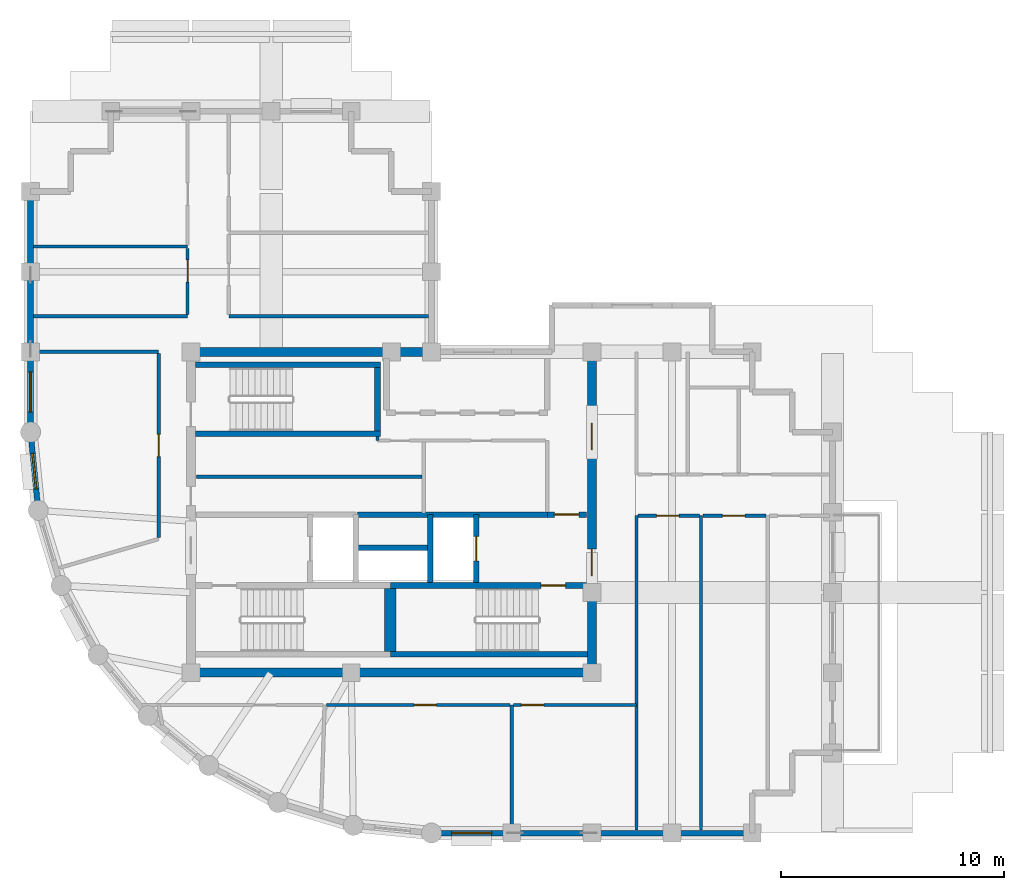
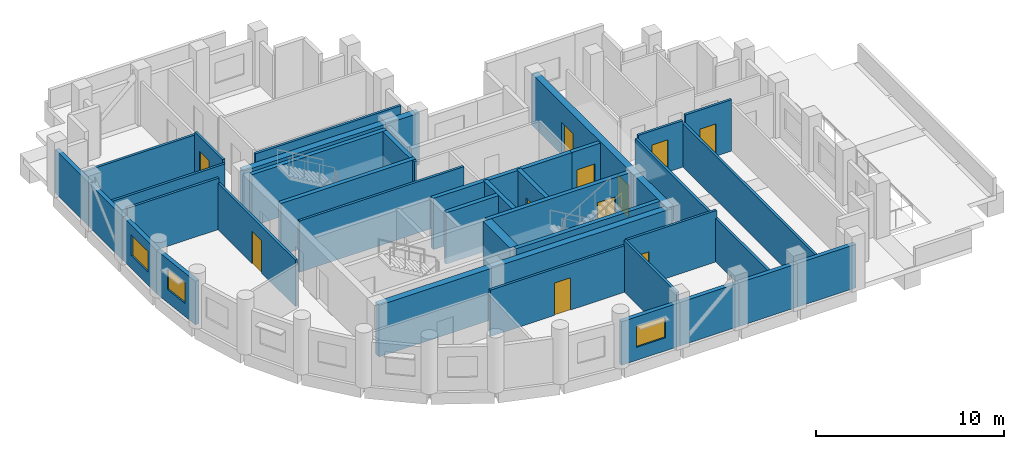
# One storey, part 3 of 7: 37 walls, 11 doors, 3 windows, 14 openings.
"""IFC4 building model written with IfcOpenShell, lengths in metres."""

from ifc_helpers import new_model, si_unit, direction, frame, frame_2d, origin, place, context, subcontext, project, spatial, rectangle, extrude, material, layer, layer_set, type_object, element, fill, save


model = new_model("IFC4")

# Units and contexts
model_context = context("Model", 3, precision=1e-05, world=origin(), true_north=direction((0.0, 1.0)))
body_context = subcontext(model_context, "Body", "Model", "MODEL_VIEW")
ifc_project = project(units=[si_unit("LENGTHUNIT", "METRE"), si_unit("AREAUNIT", "SQUARE_METRE"), si_unit("VOLUMEUNIT", "CUBIC_METRE"), si_unit("PLANEANGLEUNIT", "RADIAN"), si_unit("MASSUNIT", "GRAM", prefix="KILO")], contexts=[model_context])

# Site, building, storey
site_placement = place(None, origin())
site = spatial("IfcSite", under=ifc_project, at=site_placement, CompositionType="ELEMENT")
building_placement = place(site_placement, origin())
building = spatial("IfcBuilding", under=site, at=building_placement, Name="Solnavia Interchange Tower", CompositionType="ELEMENT")
storey_placement = place(building_placement, frame((0.0, 0.0, 221.0)))
storey = spatial("IfcBuildingStorey", under=building, at=storey_placement, Name="L55", CompositionType="ELEMENT", Elevation=221.0)

# Wall, opening, window
ifc_material_1 = material(Name="Concrete C40/50", Category="concrete")
ifc_layer_1 = layer(ifc_material_1, 0.25)
ifc_layer_set_1 = layer_set([ifc_layer_1], Name="Concrete C40/50")
wall_type_1 = type_object("IfcWallType", Name="Wall-ExtSpandrel-250", PredefinedType="STANDARD", material=ifc_layer_set_1)
wall_1_placement = place(storey_placement, frame((28.800048828125, 3.60009765625, 0.0), z_axis=(0.0, 0.0, 1.0), x_axis=(-1.0, 0.0, 0.0)))
wall_1 = element("IfcWall", 1, at=wall_1_placement, inside=storey, type_object=wall_type_1, Name="EXW-L55-01 Exterior precast spandrel wall", PredefinedType="STANDARD", context=body_context, shape_type="SweptSolid", body=[
    extrude(rectangle(XDim=3.60009765625, YDim=0.25, at=frame_2d((1.800048828125, 0.0))), origin(), (0.0, 0.0, 1.0), 2.830078125),
])
opening_1_placement = place(wall_1_placement, frame((0.89990234375, 0.0, 0.85009765625)))
opening_1 = element("IfcOpeningElement", 2, at=opening_1_placement, cuts=wall_1, Name="Opening WIN-02", PredefinedType="OPENING", context=body_context, shape_type="SweptSolid", body=[
    extrude(rectangle(XDim=1.800048828125, YDim=1.35009765625, at=frame_2d((0.89990234375, 0.675048828125))), frame((0.0, 0.135009765625, 0.0), z_axis=(0.0, -1.0, 0.0), x_axis=(1.0, 0.0, 0.0)), (0.0, 0.0, 1.0), 0.27001953125),
])
ifc_material_2 = material(Name="Thermal-Break Aluminium & Low-E Glass", Category="aluminium")
window_type_1 = type_object("IfcWindowType", Name="Window-Ribbon-1800x1350", PartitioningType="SINGLE_PANEL", PredefinedType="WINDOW", material=ifc_material_2)
window_1_placement = place(opening_1_placement, origin())
window_1 = element("IfcWindow", 3, at=window_1_placement, inside=storey, type_object=window_type_1, Name="WIN-L55-01 Facade ribbon window", OverallHeight=1.35009765625, OverallWidth=1.800048828125, PartitioningType="SINGLE_PANEL", PredefinedType="WINDOW", context=body_context, shape_type="SweptSolid", body=[
    extrude(rectangle(XDim=1.800048828125, YDim=1.35009765625, at=frame_2d((0.89990234375, 0.675048828125))), frame((0.0, 0.030029296875, 0.0), z_axis=(0.0, -1.0, 0.0), x_axis=(1.0, 0.0, 0.0)), (0.0, 0.0, 1.0), 0.06005859375),
])
fill(opening_1, window_1)

# Walls
wall_2_placement = place(storey_placement, frame((32.39990234375, 3.60009765625, 0.0), z_axis=(0.0, 0.0, 1.0), x_axis=(-1.0, 0.0, 0.0)))
element("IfcWall", 4, at=wall_2_placement, inside=storey, type_object=wall_type_1, Name="EXW-L55-02 Exterior precast spandrel wall", PredefinedType="STANDARD", context=body_context, shape_type="SweptSolid", body=[
    extrude(rectangle(XDim=3.599853515625, YDim=0.25, at=frame_2d((1.7998046875, 0.0))), origin(), (0.0, 0.0, 1.0), 2.830078125),
])
for number, where, z_axis, x_axis, name in (
    (5, (36.0, 3.60009765625, 0.0), (0.0, 0.0, 1.0), (-1.0, 0.0, 0.0), "EXW-L55-03 Exterior precast spandrel wall"),
    (6, (39.60009765625, 3.60009765625, 0.0), (0.0, 0.0, 1.0), (-1.0, 0.0, 0.0), "EXW-L55-04 Exterior precast spandrel wall"),
):
    element("IfcWall", number, at=place(storey_placement, frame(where, z_axis=z_axis, x_axis=x_axis)), inside=storey, type_object=wall_type_1, Name=name, PredefinedType="STANDARD", context=body_context, shape_type="SweptSolid", body=[
        extrude(rectangle(XDim=3.60009765625, YDim=0.25, at=frame_2d((1.800048828125, 0.0))), origin(), (0.0, 0.0, 1.0), 2.830078125),
    ])
wall_3_placement = place(storey_placement, frame((7.199951171875, 28.800048828125, 0.0), z_axis=(0.0, 0.0, 1.0), x_axis=(0.0, 1.0, 0.0)))
element("IfcWall", 7, at=wall_3_placement, inside=storey, type_object=wall_type_1, Name="EXW-L55-38 Exterior precast spandrel wall", PredefinedType="STANDARD", context=body_context, shape_type="SweptSolid", body=[
    extrude(rectangle(XDim=3.599853515625, YDim=0.25, at=frame_2d((1.7998046875, 0.0))), origin(), (0.0, 0.0, 1.0), 2.830078125),
])
wall_4_placement = place(storey_placement, frame((7.199951171875, 25.199951171875, 0.0), z_axis=(0.0, 0.0, 1.0), x_axis=(0.0, 1.0, 0.0)))
element("IfcWall", 8, at=wall_4_placement, inside=storey, type_object=wall_type_1, Name="EXW-L55-39 Exterior precast spandrel wall", PredefinedType="STANDARD", context=body_context, shape_type="SweptSolid", body=[
    extrude(rectangle(XDim=3.60009765625, YDim=0.25, at=frame_2d((1.800048828125, 0.0))), origin(), (0.0, 0.0, 1.0), 2.830078125),
])

# Wall, opening, window
wall_5_placement = place(storey_placement, frame((7.199951171875, 21.60009765625, 0.0), z_axis=(0.0, 0.0, 1.0), x_axis=(0.0, 1.0, 0.0)))
wall_5 = element("IfcWall", 9, at=wall_5_placement, inside=storey, type_object=wall_type_1, Name="EXW-L55-40 Exterior precast spandrel wall", PredefinedType="STANDARD", context=body_context, shape_type="SweptSolid", body=[
    extrude(rectangle(XDim=3.599853515625, YDim=0.25, at=frame_2d((1.7998046875, 0.0))), origin(), (0.0, 0.0, 1.0), 2.830078125),
])
opening_2_placement = place(wall_5_placement, frame((0.89990234375, 0.0, 0.85009765625)))
opening_2 = element("IfcOpeningElement", 10, at=opening_2_placement, cuts=wall_5, Name="Opening WIN-02", PredefinedType="OPENING", context=body_context, shape_type="SweptSolid", body=[
    extrude(rectangle(XDim=1.800048828125, YDim=1.35009765625, at=frame_2d((0.89990234375, 0.675048828125))), frame((0.0, 0.135009765625, 0.0), z_axis=(0.0, -1.0, 0.0), x_axis=(1.0, 0.0, 0.0)), (0.0, 0.0, 1.0), 0.27001953125),
])
window_2_placement = place(opening_2_placement, origin())
window_2 = element("IfcWindow", 11, at=window_2_placement, inside=storey, type_object=window_type_1, Name="WIN-L55-40 Facade ribbon window", OverallHeight=1.35009765625, OverallWidth=1.800048828125, PartitioningType="SINGLE_PANEL", PredefinedType="WINDOW", context=body_context, shape_type="SweptSolid", body=[
    extrude(rectangle(XDim=1.800048828125, YDim=1.35009765625, at=frame_2d((0.89990234375, 0.675048828125))), frame((0.0, 0.030029296875, 0.0), z_axis=(0.0, -1.0, 0.0), x_axis=(1.0, 0.0, 0.0)), (0.0, 0.0, 1.0), 0.06005859375),
])
fill(opening_2, window_2)

wall_6_placement = place(storey_placement, frame((7.5458984375, 18.087890625, 0.0), z_axis=(0.0, 0.0, 1.0), x_axis=(-0.09802417461, 0.995184033831, 0.0)))
wall_6 = element("IfcWall", 12, at=wall_6_placement, inside=storey, type_object=wall_type_1, Name="EXW-L55-41 Exterior precast spandrel wall", PredefinedType="STANDARD", context=body_context, shape_type="SweptSolid", body=[
    extrude(rectangle(XDim=3.529296875, YDim=0.25, at=frame_2d((1.7646484375, 0.0))), origin(), (0.0, 0.0, 1.0), 2.830078125),
])
opening_3_placement = place(wall_6_placement, frame((0.965087890625, 0.0, 0.85009765625)))
opening_3 = element("IfcOpeningElement", 13, at=opening_3_placement, cuts=wall_6, Name="Opening WIN-04", PredefinedType="OPENING", context=body_context, shape_type="SweptSolid", body=[
    extrude(rectangle(XDim=1.60009765625, YDim=1.35009765625, at=frame_2d((0.800048828125, 0.675048828125))), frame((0.0, 0.135009765625, 0.0), z_axis=(0.0, -1.0, 0.0), x_axis=(1.0, 0.0, 0.0)), (0.0, 0.0, 1.0), 0.27001953125),
])
window_type_2 = type_object("IfcWindowType", Name="Window-Drum-1600x1350", PartitioningType="SINGLE_PANEL", PredefinedType="WINDOW", material=ifc_material_2)
window_3_placement = place(opening_3_placement, origin())
window_3 = element("IfcWindow", 14, at=window_3_placement, inside=storey, type_object=window_type_2, Name="WIN-L55-41 Facade ribbon window", OverallHeight=1.35009765625, OverallWidth=1.60009765625, PartitioningType="SINGLE_PANEL", PredefinedType="WINDOW", context=body_context, shape_type="SweptSolid", body=[
    extrude(rectangle(XDim=1.60009765625, YDim=1.35009765625, at=frame_2d((0.800048828125, 0.675048828125))), frame((0.0, 0.030029296875, 0.0), z_axis=(0.0, -1.0, 0.0), x_axis=(1.0, 0.0, 0.0)), (0.0, 0.0, 1.0), 0.06005859375),
])
fill(opening_3, window_3)

# Walls
ifc_material_3 = material(Name="Gypsum Plasterboard & Steel Stud", Category="steel")
ifc_layer_2 = layer(ifc_material_3, 0.14990234375)
ifc_layer_set_2 = layer_set([ifc_layer_2], Name="Gypsum Plasterboard & Steel Stud")
wall_type_2 = type_object("IfcWallType", Name="Wall-Partition-150", PredefinedType="PARTITIONING", material=ifc_layer_set_2)
wall_7_placement = place(storey_placement, frame((22.77490234375, 21.219970703125, 0.0), z_axis=(0.0, 0.0, 1.0), x_axis=(0.0, 1.0, 0.0)))
element("IfcWall", 15, at=wall_7_placement, inside=storey, type_object=wall_type_2, Name="CSW-L55-ST-TIE Core shaft wall", PredefinedType="PARTITIONING", context=body_context, shape_type="SweptSolid", body=[
    extrude(rectangle(XDim=0.175048828125, YDim=0.14990234375, at=frame_2d((0.08740234375, 0.0))), origin(), (0.0, 0.0, 1.0), 3.3349609375),
])
wall_8_placement = place(storey_placement, frame((14.64990234375, 19.60009765625, 0.0), z_axis=(0.0, 0.0, 1.0), x_axis=(1.0, 0.0, 0.0)))
element("IfcWall", 16, at=wall_8_placement, inside=storey, type_object=wall_type_2, Name="CSW-L55-H1 Core shaft wall", PredefinedType="PARTITIONING", context=body_context, shape_type="SweptSolid", body=[
    extrude(rectangle(XDim=10.130126953125, YDim=0.14990234375, at=frame_2d((5.06494140625, 0.0))), origin(), (0.0, 0.0, 1.0), 3.3349609375),
])
wall_9_placement = place(storey_placement, frame((7.3291015625, 25.199951171875, 0.0), z_axis=(0.0, 0.0, 1.0), x_axis=(1.0, 0.0, 0.0)))
element("IfcWall", 17, at=wall_9_placement, inside=storey, type_object=wall_type_2, Name="PTW-L55-07 Interior partition wall", PredefinedType="PARTITIONING", context=body_context, shape_type="SweptSolid", body=[
    extrude(rectangle(XDim=5.620849609375, YDim=0.14990234375, at=frame_2d((2.810546875, 0.0))), origin(), (0.0, 0.0, 1.0), 3.3349609375),
])
wall_10_placement = place(storey_placement, frame((28.800048828125, 9.35009765625, 0.0), z_axis=(0.0, 0.0, 1.0), x_axis=(0.0, -1.0, 0.0)))
element("IfcWall", 18, at=wall_10_placement, inside=storey, type_object=wall_type_2, Name="PTW-L55-08 Interior partition wall", PredefinedType="PARTITIONING", context=body_context, shape_type="SweptSolid", body=[
    extrude(rectangle(XDim=5.62109375, YDim=0.14990234375, at=frame_2d((2.810546875, 0.0))), origin(), (0.0, 0.0, 1.0), 3.3349609375),
])

# Wall, opening, door
wall_11_placement = place(storey_placement, frame((12.949951171875, 16.87890625, 0.0), z_axis=(0.0, 0.0, 1.0), x_axis=(0.0, 1.0, 0.0)))
wall_11 = element("IfcWall", 19, at=wall_11_placement, inside=storey, type_object=wall_type_2, Name="PTW-L55-12 Interior partition wall", PredefinedType="PARTITIONING", context=body_context, shape_type="SweptSolid", body=[
    extrude(rectangle(XDim=8.2421875, YDim=0.14990234375, at=frame_2d((4.12109375, 0.0))), origin(), (0.0, 0.0, 1.0), 3.02001953125),
])
opening_4_placement = place(wall_11_placement, frame((3.62109375, 0.0, 0.0)))
opening_4 = element("IfcOpeningElement", 20, at=opening_4_placement, cuts=wall_11, Name="Opening DR-07", PredefinedType="OPENING", context=body_context, shape_type="SweptSolid", body=[
    extrude(rectangle(XDim=1.0, YDim=2.10009765625, at=frame_2d((0.5, 1.050048828125))), frame((0.0, 0.0849609375, 0.0), z_axis=(0.0, -1.0, 0.0), x_axis=(1.0, 0.0, 0.0)), (0.0, 0.0, 1.0), 0.169921875),
])
ifc_material_4 = material(Name="Timber & Acoustic Glazed Office Door", Category="wood")
door_type_1 = type_object("IfcDoorType", Name="Door-Office-1000x2100", OperationType="SINGLE_SWING_RIGHT", PredefinedType="DOOR", material=ifc_material_4)
door_1_placement = place(opening_4_placement, origin())
door_1 = element("IfcDoor", 21, at=door_1_placement, inside=storey, type_object=door_type_1, Name="DR-L55-03 Interior room door", OperationType="SINGLE_SWING_LEFT", OverallHeight=2.10009765625, OverallWidth=1.0, PredefinedType="DOOR", context=body_context, shape_type="SweptSolid", body=[
    extrude(rectangle(XDim=1.0, YDim=2.10009765625, at=frame_2d((0.5, 1.050048828125))), frame((0.0, 0.02490234375, 0.0), z_axis=(0.0, -1.0, 0.0), x_axis=(1.0, 0.0, 0.0)), (0.0, 0.0, 1.0), 0.050048828125),
])
fill(opening_4, door_1)

wall_12_placement = place(storey_placement, frame((20.47900390625, 9.35009765625, 0.0), z_axis=(0.0, 0.0, 1.0), x_axis=(1.0, 0.0, 0.0)))
wall_12 = element("IfcWall", 22, at=wall_12_placement, inside=storey, type_object=wall_type_2, Name="PTW-L55-15 Interior partition wall", PredefinedType="PARTITIONING", context=body_context, shape_type="SweptSolid", body=[
    extrude(rectangle(XDim=8.241943359375, YDim=0.14990234375, at=frame_2d((4.12109375, 0.0))), origin(), (0.0, 0.0, 1.0), 3.02001953125),
])
opening_5_placement = place(wall_12_placement, frame((3.93896484375, 0.0, 0.0)))
opening_5 = element("IfcOpeningElement", 23, at=opening_5_placement, cuts=wall_12, Name="Opening DR-07", PredefinedType="OPENING", context=body_context, shape_type="SweptSolid", body=[
    extrude(rectangle(XDim=1.0, YDim=2.10009765625, at=frame_2d((0.5, 1.050048828125))), frame((0.0, 0.0849609375, 0.0), z_axis=(0.0, -1.0, 0.0), x_axis=(1.0, 0.0, 0.0)), (0.0, 0.0, 1.0), 0.169921875),
])
door_2_placement = place(opening_5_placement, origin())
door_2 = element("IfcDoor", 24, at=door_2_placement, inside=storey, type_object=door_type_1, Name="DR-L55-06 Interior room door", OperationType="SINGLE_SWING_RIGHT", OverallHeight=2.10009765625, OverallWidth=1.0, PredefinedType="DOOR", context=body_context, shape_type="SweptSolid", body=[
    extrude(rectangle(XDim=1.0, YDim=2.10009765625, at=frame_2d((0.5, 1.050048828125))), frame((0.0, 0.02490234375, 0.0), z_axis=(0.0, -1.0, 0.0), x_axis=(1.0, 0.0, 0.0)), (0.0, 0.0, 1.0), 0.050048828125),
])
fill(opening_5, door_2)

wall_13_placement = place(storey_placement, frame((28.87890625, 9.35009765625, 0.0), z_axis=(0.0, 0.0, 1.0), x_axis=(1.0, 0.0, 0.0)))
wall_13 = element("IfcWall", 25, at=wall_13_placement, inside=storey, type_object=wall_type_2, Name="PTW-L55-16 Interior partition wall", PredefinedType="PARTITIONING", context=body_context, shape_type="SweptSolid", body=[
    extrude(rectangle(XDim=5.52099609375, YDim=0.14990234375, at=frame_2d((2.760498046875, 0.0))), origin(), (0.0, 0.0, 1.0), 3.3349609375),
])
opening_6_placement = place(wall_13_placement, frame((0.360107421875, 0.0, 0.0)))
opening_6 = element("IfcOpeningElement", 26, at=opening_6_placement, cuts=wall_13, Name="Opening DR-07", PredefinedType="OPENING", context=body_context, shape_type="SweptSolid", body=[
    extrude(rectangle(XDim=1.0, YDim=2.10009765625, at=frame_2d((0.5, 1.050048828125))), frame((0.0, 0.0849609375, 0.0), z_axis=(0.0, -1.0, 0.0), x_axis=(1.0, 0.0, 0.0)), (0.0, 0.0, 1.0), 0.169921875),
])
door_3_placement = place(opening_6_placement, origin())
door_3 = element("IfcDoor", 27, at=door_3_placement, inside=storey, type_object=door_type_1, Name="DR-L55-07 Interior room door", OperationType="SINGLE_SWING_LEFT", OverallHeight=2.10009765625, OverallWidth=1.0, PredefinedType="DOOR", context=body_context, shape_type="SweptSolid", body=[
    extrude(rectangle(XDim=1.0, YDim=2.10009765625, at=frame_2d((0.5, 1.050048828125))), frame((0.0, 0.02490234375, 0.0), z_axis=(0.0, -1.0, 0.0), x_axis=(1.0, 0.0, 0.0)), (0.0, 0.0, 1.0), 0.050048828125),
])
fill(opening_6, door_3)

# Walls
for number, where, z_axis, x_axis, name in (
    (28, (34.39990234375, 3.72900390625, 0.0), (0.0, 0.0, 1.0), (0.0, 1.0, 0.0), "PTW-L55-17 Interior partition wall"),
    (29, (37.300048828125, 3.72900390625, 0.0), (0.0, 0.0, 1.0), (0.0, 1.0, 0.0), "PTW-L55-18 Interior partition wall"),
):
    element("IfcWall", number, at=place(storey_placement, frame(where, z_axis=z_axis, x_axis=x_axis)), inside=storey, type_object=wall_type_2, Name=name, PredefinedType="PARTITIONING", context=body_context, shape_type="SweptSolid", body=[
        extrude(rectangle(XDim=14.12109375, YDim=0.14990234375, at=frame_2d((7.060546875, 0.0))), origin(), (0.0, 0.0, 1.0), 2.830078125),
    ])

# Wall, opening, door
wall_14_placement = place(storey_placement, frame((34.47900390625, 17.85009765625, 0.0), z_axis=(0.0, 0.0, 1.0), x_axis=(1.0, 0.0, 0.0)))
wall_14 = element("IfcWall", 30, at=wall_14_placement, inside=storey, type_object=wall_type_2, Name="PTW-L55-19 Interior partition wall", PredefinedType="PARTITIONING", context=body_context, shape_type="SweptSolid", body=[
    extrude(rectangle(XDim=2.741943359375, YDim=0.14990234375, at=frame_2d((1.37109375, 0.0))), origin(), (0.0, 0.0, 1.0), 3.02001953125),
])
opening_7_placement = place(wall_14_placement, frame((0.83203125, 0.0, 0.0)))
opening_7 = element("IfcOpeningElement", 31, at=opening_7_placement, cuts=wall_14, Name="Opening DR-07", PredefinedType="OPENING", context=body_context, shape_type="SweptSolid", body=[
    extrude(rectangle(XDim=1.0, YDim=2.10009765625, at=frame_2d((0.5, 1.050048828125))), frame((0.0, 0.0849609375, 0.0), z_axis=(0.0, -1.0, 0.0), x_axis=(1.0, 0.0, 0.0)), (0.0, 0.0, 1.0), 0.169921875),
])
door_4_placement = place(opening_7_placement, origin())
door_4 = element("IfcDoor", 32, at=door_4_placement, inside=storey, type_object=door_type_1, Name="DR-L55-08 Interior room door", OperationType="SINGLE_SWING_LEFT", OverallHeight=2.10009765625, OverallWidth=1.0, PredefinedType="DOOR", context=body_context, shape_type="SweptSolid", body=[
    extrude(rectangle(XDim=1.0, YDim=2.10009765625, at=frame_2d((0.5, 1.050048828125))), frame((0.0, 0.02490234375, 0.0), z_axis=(0.0, -1.0, 0.0), x_axis=(1.0, 0.0, 0.0)), (0.0, 0.0, 1.0), 0.050048828125),
])
fill(opening_7, door_4)

wall_15_placement = place(storey_placement, frame((37.37890625, 17.85009765625, 0.0), z_axis=(0.0, 0.0, 1.0), x_axis=(1.0, 0.0, 0.0)))
wall_15 = element("IfcWall", 33, at=wall_15_placement, inside=storey, type_object=wall_type_2, Name="PTW-L55-21 Interior partition wall", PredefinedType="PARTITIONING", context=body_context, shape_type="SweptSolid", body=[
    extrude(rectangle(XDim=2.842041015625, YDim=0.14990234375, at=frame_2d((1.4208984375, 0.0))), origin(), (0.0, 0.0, 1.0), 3.3349609375),
])
opening_8_placement = place(wall_15_placement, frame((0.883056640625, 0.0, 0.0)))
opening_8 = element("IfcOpeningElement", 34, at=opening_8_placement, cuts=wall_15, Name="Opening DR-07", PredefinedType="OPENING", context=body_context, shape_type="SweptSolid", body=[
    extrude(rectangle(XDim=1.0, YDim=2.10009765625, at=frame_2d((0.5, 1.050048828125))), frame((0.0, 0.0849609375, 0.0), z_axis=(0.0, -1.0, 0.0), x_axis=(1.0, 0.0, 0.0)), (0.0, 0.0, 1.0), 0.169921875),
])
door_5_placement = place(opening_8_placement, origin())
door_5 = element("IfcDoor", 35, at=door_5_placement, inside=storey, type_object=door_type_1, Name="DR-L55-09 Interior room door", OperationType="SINGLE_SWING_RIGHT", OverallHeight=2.10009765625, OverallWidth=1.0, PredefinedType="DOOR", context=body_context, shape_type="SweptSolid", body=[
    extrude(rectangle(XDim=1.0, YDim=2.10009765625, at=frame_2d((0.5, 1.050048828125))), frame((0.0, 0.02490234375, 0.0), z_axis=(0.0, -1.0, 0.0), x_axis=(1.0, 0.0, 0.0)), (0.0, 0.0, 1.0), 0.050048828125),
])
fill(opening_8, door_5)

# Walls
for number, where, z_axis, x_axis, name in (
    (36, (7.3291015625, 26.800048828125, 0.0), (0.0, 0.0, 1.0), (1.0, 0.0, 0.0), "PTW-L55-24 Interior partition wall"),
    (37, (7.3291015625, 29.929931640625, 0.0), (0.0, 0.0, 1.0), (1.0, 0.0, 0.0), "PTW-L55-25 Interior partition wall"),
):
    element("IfcWall", number, at=place(storey_placement, frame(where, z_axis=z_axis, x_axis=x_axis)), inside=storey, type_object=wall_type_2, Name=name, PredefinedType="PARTITIONING", context=body_context, shape_type="SweptSolid", body=[
        extrude(rectangle(XDim=6.9208984375, YDim=0.14990234375, at=frame_2d((3.46044921875, 0.0))), origin(), (0.0, 0.0, 1.0), 2.830078125),
    ])

# Wall, opening, door
wall_16_placement = place(storey_placement, frame((14.25, 26.87890625, 0.0), z_axis=(0.0, 0.0, 1.0), x_axis=(0.0, 1.0, 0.0)))
wall_16 = element("IfcWall", 38, at=wall_16_placement, inside=storey, type_object=wall_type_2, Name="PTW-L55-26 Interior partition wall", PredefinedType="PARTITIONING", context=body_context, shape_type="SweptSolid", body=[
    extrude(rectangle(XDim=2.97216796875, YDim=0.14990234375, at=frame_2d((1.486083984375, 0.0))), origin(), (0.0, 0.0, 1.0), 3.030029296875),
])
opening_9_placement = place(wall_16_placement, frame((1.4560546875, 0.0, 0.0)))
opening_9 = element("IfcOpeningElement", 39, at=opening_9_placement, cuts=wall_16, Name="Opening DR-07", PredefinedType="OPENING", context=body_context, shape_type="SweptSolid", body=[
    extrude(rectangle(XDim=1.0, YDim=2.10009765625, at=frame_2d((0.5, 1.050048828125))), frame((0.0, 0.0849609375, 0.0), z_axis=(0.0, -1.0, 0.0), x_axis=(1.0, 0.0, 0.0)), (0.0, 0.0, 1.0), 0.169921875),
])
door_6_placement = place(opening_9_placement, origin())
door_6 = element("IfcDoor", 40, at=door_6_placement, inside=storey, type_object=door_type_1, Name="DR-L55-12 Interior room door", OperationType="SINGLE_SWING_RIGHT", OverallHeight=2.10009765625, OverallWidth=1.0, PredefinedType="DOOR", context=body_context, shape_type="SweptSolid", body=[
    extrude(rectangle(XDim=1.0, YDim=2.10009765625, at=frame_2d((0.5, 1.050048828125))), frame((0.0, 0.02490234375, 0.0), z_axis=(0.0, -1.0, 0.0), x_axis=(1.0, 0.0, 0.0)), (0.0, 0.0, 1.0), 0.050048828125),
])
fill(opening_9, door_6)

# Walls
wall_17_placement = place(storey_placement, frame((16.10009765625, 26.800048828125, 0.0), z_axis=(0.0, 0.0, 1.0), x_axis=(1.0, 0.0, 0.0)))
element("IfcWall", 41, at=wall_17_placement, inside=storey, type_object=wall_type_2, Name="PTW-L55-28 Interior partition wall", PredefinedType="PARTITIONING", context=body_context, shape_type="SweptSolid", body=[
    extrude(rectangle(XDim=8.970947265625, YDim=0.14990234375, at=frame_2d((4.4853515625, 0.0))), origin(), (0.0, 0.0, 1.0), 2.830078125),
])
ifc_layer_3 = layer(ifc_material_1, 0.25)
ifc_layer_set_3 = layer_set([ifc_layer_3], Name="Concrete C40/50")
wall_type_3 = type_object("IfcWallType", Name="Wall-ShaftCore-250", PredefinedType="SHEAR", material=ifc_layer_set_3)
wall_18_placement = place(storey_placement, frame((23.35009765625, 11.625, 0.0), z_axis=(0.0, 0.0, 1.0), x_axis=(1.0, 0.0, 0.0)))
element("IfcWall", 42, at=wall_18_placement, inside=storey, type_object=wall_type_3, Name="SHW-L55-ST2S Core shear wall", PredefinedType="SHEAR", context=body_context, shape_type="SweptSolid", body=[
    extrude(rectangle(XDim=8.849853515625, YDim=0.25, at=frame_2d((4.4248046875, 0.0))), origin(), (0.0, 0.0, 1.0), 3.35009765625),
])

# Wall, opening, door
wall_19_placement = place(storey_placement, frame((23.35009765625, 14.715087890625, 0.0), z_axis=(0.0, 0.0, 1.0), x_axis=(1.0, 0.0, 0.0)))
wall_19 = element("IfcWall", 43, at=wall_19_placement, inside=storey, type_object=wall_type_3, Name="SHW-L55-ST2N Core shear wall", PredefinedType="SHEAR", context=body_context, shape_type="SweptSolid", body=[
    extrude(rectangle(XDim=8.849853515625, YDim=0.25, at=frame_2d((4.4248046875, 0.0))), origin(), (0.0, 0.0, 1.0), 3.35009765625),
])
opening_10_placement = place(wall_19_placement, frame((6.77490234375, 0.0, 0.0)))
opening_10 = element("IfcOpeningElement", 44, at=opening_10_placement, cuts=wall_19, Name="Opening DR-01", PredefinedType="OPENING", context=body_context, shape_type="SweptSolid", body=[
    extrude(rectangle(XDim=1.10009765625, YDim=2.10009765625, at=frame_2d((0.550048828125, 1.050048828125))), frame((0.0, 0.135009765625, 0.0), z_axis=(0.0, -1.0, 0.0), x_axis=(1.0, 0.0, 0.0)), (0.0, 0.0, 1.0), 0.27001953125),
])
ifc_material_5 = material(Name="Steel Fire-Rated Leaf & Frame", Category="steel")
door_type_2 = type_object("IfcDoorType", Name="Door-StairFire-1100x2100", OperationType="SINGLE_SWING_LEFT", PredefinedType="DOOR", material=ifc_material_5)
door_7_placement = place(opening_10_placement, origin())
door_7 = element("IfcDoor", 45, at=door_7_placement, inside=storey, type_object=door_type_2, Name="DR-L55-ST2 Core fire door", OperationType="SINGLE_SWING_LEFT", OverallHeight=2.10009765625, OverallWidth=1.10009765625, PredefinedType="DOOR", context=body_context, shape_type="SweptSolid", body=[
    extrude(rectangle(XDim=1.10009765625, YDim=2.10009765625, at=frame_2d((0.550048828125, 1.050048828125))), frame((0.0, 0.02490234375, 0.0), z_axis=(0.0, -1.0, 0.0), x_axis=(1.0, 0.0, 0.0)), (0.0, 0.0, 1.0), 0.050048828125),
])
fill(opening_10, door_7)

# Walls
for number, where, z_axis, x_axis, name in (
    (46, (14.60009765625, 21.52490234375, 0.0), (0.0, 0.0, 1.0), (1.0, 0.0, 0.0), "SHW-L55-ST3S Core shear wall"),
    (47, (14.60009765625, 24.614990234375, 0.0), (0.0, 0.0, 1.0), (1.0, 0.0, 0.0), "SHW-L55-ST3N Core shear wall"),
):
    element("IfcWall", number, at=place(storey_placement, frame(where, z_axis=z_axis, x_axis=x_axis)), inside=storey, type_object=wall_type_3, Name=name, PredefinedType="SHEAR", context=body_context, shape_type="SweptSolid", body=[
        extrude(rectangle(XDim=8.2998046875, YDim=0.25, at=frame_2d((4.14990234375, 0.0))), origin(), (0.0, 0.0, 1.0), 3.35009765625),
    ])
wall_20_placement = place(storey_placement, frame((22.77490234375, 21.64990234375, 0.0), z_axis=(0.0, 0.0, 1.0), x_axis=(0.0, 1.0, 0.0)))
element("IfcWall", 48, at=wall_20_placement, inside=storey, type_object=wall_type_3, Name="SHW-L55-ST3E Core shear wall", PredefinedType="SHEAR", context=body_context, shape_type="SweptSolid", body=[
    extrude(rectangle(XDim=2.840087890625, YDim=0.25, at=frame_2d((1.419921875, 0.0))), origin(), (0.0, 0.0, 1.0), 3.35009765625),
])
ifc_layer_4 = layer(ifc_material_1, 0.25)
ifc_layer_set_4 = layer_set([ifc_layer_4], Name="Concrete C40/50")
wall_type_4 = type_object("IfcWallType", Name="Wall-ShaftPart-250", PredefinedType="PARTITIONING", material=ifc_layer_set_4)
wall_21_placement = place(storey_placement, frame((21.8798828125, 17.89990234375, 0.0), z_axis=(0.0, 0.0, 1.0), x_axis=(1.0, 0.0, 0.0)))
element("IfcWall", 49, at=wall_21_placement, inside=storey, type_object=wall_type_4, Name="SHW-L55-FFLE-N1 Core shaft wall", PredefinedType="PARTITIONING", context=body_context, shape_type="SweptSolid", body=[
    extrude(rectangle(XDim=8.52001953125, YDim=0.25, at=frame_2d((4.260009765625, 0.0))), origin(), (0.0, 0.0, 1.0), 3.3349609375),
])

# Wall, opening, door
wall_22_placement = place(storey_placement, frame((30.39990234375, 17.89990234375, 0.0), z_axis=(0.0, 0.0, 1.0), x_axis=(1.0, 0.0, 0.0)))
wall_22 = element("IfcWall", 50, at=wall_22_placement, inside=storey, type_object=wall_type_4, Name="SHW-L55-FFLE-N2 Core shaft wall", PredefinedType="PARTITIONING", context=body_context, shape_type="SweptSolid", body=[
    extrude(rectangle(XDim=1.75, YDim=0.25, at=frame_2d((0.875, 0.0))), origin(), (0.0, 0.0, 1.0), 3.3349609375),
])
opening_11_placement = place(wall_22_placement, frame((0.320068359375, 0.0, 0.0)))
opening_11 = element("IfcOpeningElement", 51, at=opening_11_placement, cuts=wall_22, Name="Opening DR-01", PredefinedType="OPENING", context=body_context, shape_type="SweptSolid", body=[
    extrude(rectangle(XDim=1.10009765625, YDim=2.10009765625, at=frame_2d((0.550048828125, 1.050048828125))), frame((0.0, 0.135009765625, 0.0), z_axis=(0.0, -1.0, 0.0), x_axis=(1.0, 0.0, 0.0)), (0.0, 0.0, 1.0), 0.27001953125),
])
door_8_placement = place(opening_11_placement, origin())
door_8 = element("IfcDoor", 52, at=door_8_placement, inside=storey, type_object=door_type_2, Name="DR-L55-LLC Core fire door", OperationType="SINGLE_SWING_LEFT", OverallHeight=2.10009765625, OverallWidth=1.10009765625, PredefinedType="DOOR", context=body_context, shape_type="SweptSolid", body=[
    extrude(rectangle(XDim=1.10009765625, YDim=2.10009765625, at=frame_2d((0.550048828125, 1.050048828125))), frame((0.0, 0.02490234375, 0.0), z_axis=(0.0, -1.0, 0.0), x_axis=(1.0, 0.0, 0.0)), (0.0, 0.0, 1.0), 0.050048828125),
])
fill(opening_11, door_8)

# Wall
wall_23_placement = place(storey_placement, frame((25.14990234375, 14.840087890625, 0.0), z_axis=(0.0, 0.0, 1.0), x_axis=(0.0, 1.0, 0.0)))
element("IfcWall", 53, at=wall_23_placement, inside=storey, type_object=wall_type_4, Name="SHW-L55-FFL2-W Core shaft wall", PredefinedType="PARTITIONING", context=body_context, shape_type="SweptSolid", body=[
    extrude(rectangle(XDim=3.059814453125, YDim=0.25, at=frame_2d((1.52978515625, 0.0))), origin(), (0.0, 0.0, 1.0), 3.3349609375),
])

# Wall, opening, door
wall_24_placement = place(storey_placement, frame((27.199951171875, 14.840087890625, 0.0), z_axis=(0.0, 0.0, 1.0), x_axis=(0.0, 1.0, 0.0)))
wall_24 = element("IfcWall", 54, at=wall_24_placement, inside=storey, type_object=wall_type_4, Name="SHW-L55-FFL2-E Core shaft wall", PredefinedType="PARTITIONING", context=body_context, shape_type="SweptSolid", body=[
    extrude(rectangle(XDim=3.059814453125, YDim=0.25, at=frame_2d((1.52978515625, 0.0))), origin(), (0.0, 0.0, 1.0), 3.3349609375),
])
opening_12_placement = place(wall_24_placement, frame((0.97998046875, 0.0, 0.0)))
opening_12 = element("IfcOpeningElement", 55, at=opening_12_placement, cuts=wall_24, Name="Opening LD-01", PredefinedType="OPENING", context=body_context, shape_type="SweptSolid", body=[
    extrude(rectangle(XDim=1.10009765625, YDim=2.10009765625, at=frame_2d((0.550048828125, 1.050048828125))), frame((0.0, 0.135009765625, 0.0), z_axis=(0.0, -1.0, 0.0), x_axis=(1.0, 0.0, 0.0)), (0.0, 0.0, 1.0), 0.27001953125),
])
ifc_material_6 = material(Name="Brushed Stainless Steel Sliding Door", Category="steel")
door_type_3 = type_object("IfcDoorType", Name="Door-LiftLanding-1100x2100", OperationType="SLIDING_TO_LEFT", PredefinedType="DOOR", material=ifc_material_6)
door_9_placement = place(opening_12_placement, origin())
door_9 = element("IfcDoor", 56, at=door_9_placement, inside=storey, type_object=door_type_3, Name="LD-L55-FFL2 Lift landing sliding door", OperationType="SLIDING_TO_LEFT", OverallHeight=2.10009765625, OverallWidth=1.10009765625, PredefinedType="DOOR", context=body_context, shape_type="SweptSolid", body=[
    extrude(rectangle(XDim=1.10009765625, YDim=2.10009765625, at=frame_2d((0.550048828125, 1.050048828125))), frame((0.0, 0.02490234375, 0.0), z_axis=(0.0, -1.0, 0.0), x_axis=(1.0, 0.0, 0.0)), (0.0, 0.0, 1.0), 0.050048828125),
])
fill(opening_12, door_9)

# Walls
wall_25_placement = place(storey_placement, frame((21.800048828125, 16.39990234375, 0.0), z_axis=(0.0, 0.0, 1.0), x_axis=(1.0, 0.0, 0.0)))
element("IfcWall", 57, at=wall_25_placement, inside=storey, type_object=wall_type_4, Name="SHW-L55-MEP-N Core shaft wall", PredefinedType="PARTITIONING", context=body_context, shape_type="SweptSolid", body=[
    extrude(rectangle(XDim=3.349853515625, YDim=0.25, at=frame_2d((1.6748046875, 0.0))), origin(), (0.0, 0.0, 1.0), 3.3349609375),
])
ifc_material_7 = material(Name="Concrete C50/60", Category="concrete")
ifc_layer_5 = layer(ifc_material_7, 0.39990234375)
ifc_layer_set_5 = layer_set([ifc_layer_5], Name="Concrete C50/60")
wall_type_5 = type_object("IfcWallType", Name="Wall-ShearCore-400", PredefinedType="SHEAR", material=ifc_layer_set_5)
wall_26_placement = place(storey_placement, frame((14.39990234375, 10.800048828125, 0.0), z_axis=(0.0, 0.0, 1.0), x_axis=(1.0, 0.0, 0.0)))
element("IfcWall", 58, at=wall_26_placement, inside=storey, type_object=wall_type_5, Name="CRW-L55-S Core shear wall", PredefinedType="SHEAR", context=body_context, shape_type="SweptSolid", body=[
    extrude(rectangle(XDim=18.0, YDim=0.39990234375, at=frame_2d((9.0, 0.0))), origin(), (0.0, 0.0, 1.0), 3.35009765625),
])
wall_27_placement = place(storey_placement, frame((14.39990234375, 25.199951171875, 0.0), z_axis=(0.0, 0.0, 1.0), x_axis=(1.0, 0.0, 0.0)))
element("IfcWall", 59, at=wall_27_placement, inside=storey, type_object=wall_type_5, Name="CRW-L55-N Core shear wall", PredefinedType="SHEAR", context=body_context, shape_type="SweptSolid", body=[
    extrude(rectangle(XDim=10.800048828125, YDim=0.39990234375, at=frame_2d((5.39990234375, 0.0))), origin(), (0.0, 0.0, 1.0), 3.35009765625),
])

# Wall, openings, doors
wall_28_placement = place(storey_placement, frame((32.39990234375, 10.800048828125, 0.0), z_axis=(0.0, 0.0, 1.0), x_axis=(0.0, 1.0, 0.0)))
wall_28 = element("IfcWall", 60, at=wall_28_placement, inside=storey, type_object=wall_type_5, Name="CRW-L55-E Core shear wall", PredefinedType="SHEAR", context=body_context, shape_type="SweptSolid", body=[
    extrude(rectangle(XDim=14.39990234375, YDim=0.39990234375, at=frame_2d((7.199951171875, 0.0))), origin(), (0.0, 0.0, 1.0), 3.35009765625),
])
opening_13_placement = place(wall_28_placement, frame((4.35009765625, 0.0, 0.0)))
opening_13 = element("IfcOpeningElement", 61, at=opening_13_placement, cuts=wall_28, Name="Opening DR-02", PredefinedType="OPENING", context=body_context, shape_type="SweptSolid", body=[
    extrude(rectangle(XDim=1.199951171875, YDim=2.10009765625, at=frame_2d((0.60009765625, 1.050048828125))), frame((0.0, 0.2099609375, 0.0), z_axis=(0.0, -1.0, 0.0), x_axis=(1.0, 0.0, 0.0)), (0.0, 0.0, 1.0), 0.419921875),
])
opening_14_placement = place(wall_28_placement, frame((10.0, 0.0, 0.0)))
opening_14 = element("IfcOpeningElement", 62, at=opening_14_placement, cuts=wall_28, Name="Opening DR-02", PredefinedType="OPENING", context=body_context, shape_type="SweptSolid", body=[
    extrude(rectangle(XDim=1.199951171875, YDim=2.10009765625, at=frame_2d((0.60009765625, 1.050048828125))), frame((0.0, 0.2099609375, 0.0), z_axis=(0.0, -1.0, 0.0), x_axis=(1.0, 0.0, 0.0)), (0.0, 0.0, 1.0), 0.419921875),
])
ifc_material_8 = material(Name="Steel Fire-Rated Vision-Panel Door", Category="steel")
door_type_4 = type_object("IfcDoorType", Name="Door-LobbyFire-1200x2100", OperationType="SINGLE_SWING_RIGHT", PredefinedType="DOOR", material=ifc_material_8)
door_10_placement = place(opening_13_placement, origin())
door_10 = element("IfcDoor", 63, at=door_10_placement, inside=storey, type_object=door_type_4, Name="DR-L55-FFL2E Core fire door", OperationType="SINGLE_SWING_LEFT", OverallHeight=2.10009765625, OverallWidth=1.199951171875, PredefinedType="DOOR", context=body_context, shape_type="SweptSolid", body=[
    extrude(rectangle(XDim=1.199951171875, YDim=2.10009765625, at=frame_2d((0.60009765625, 1.050048828125))), frame((0.0, 0.02490234375, 0.0), z_axis=(0.0, -1.0, 0.0), x_axis=(1.0, 0.0, 0.0)), (0.0, 0.0, 1.0), 0.050048828125),
])
fill(opening_13, door_10)
door_11_placement = place(opening_14_placement, origin())
door_11 = element("IfcDoor", 64, at=door_11_placement, inside=storey, type_object=door_type_4, Name="DR-L55-LLE Core fire door", OperationType="SINGLE_SWING_RIGHT", OverallHeight=2.10009765625, OverallWidth=1.199951171875, PredefinedType="DOOR", context=body_context, shape_type="SweptSolid", body=[
    extrude(rectangle(XDim=1.199951171875, YDim=2.10009765625, at=frame_2d((0.60009765625, 1.050048828125))), frame((0.0, 0.02490234375, 0.0), z_axis=(0.0, -1.0, 0.0), x_axis=(1.0, 0.0, 0.0)), (0.0, 0.0, 1.0), 0.050048828125),
])
fill(opening_14, door_11)

# Wall
ifc_material_9 = material(Name="Concrete C60/75", Category="concrete")
ifc_layer_6 = layer(ifc_material_9, 0.5)
ifc_layer_set_6 = layer_set([ifc_layer_6], Name="Concrete C60/75")
wall_type_6 = type_object("IfcWallType", Name="Wall-ShearCore-500", PredefinedType="SHEAR", material=ifc_layer_set_6)
wall_29_placement = place(storey_placement, frame((23.35009765625, 11.75, 0.0), z_axis=(0.0, 0.0, 1.0), x_axis=(0.0, 1.0, 0.0)))
element("IfcWall", 65, at=wall_29_placement, inside=storey, type_object=wall_type_6, Name="SHW-L55-ST12M Core shear wall", PredefinedType="SHEAR", context=body_context, shape_type="SweptSolid", body=[
    extrude(rectangle(XDim=2.840087890625, YDim=0.5, at=frame_2d((1.419921875, 0.0))), origin(), (0.0, 0.0, 1.0), 3.35009765625),
])

save(model, "model.ifc")
